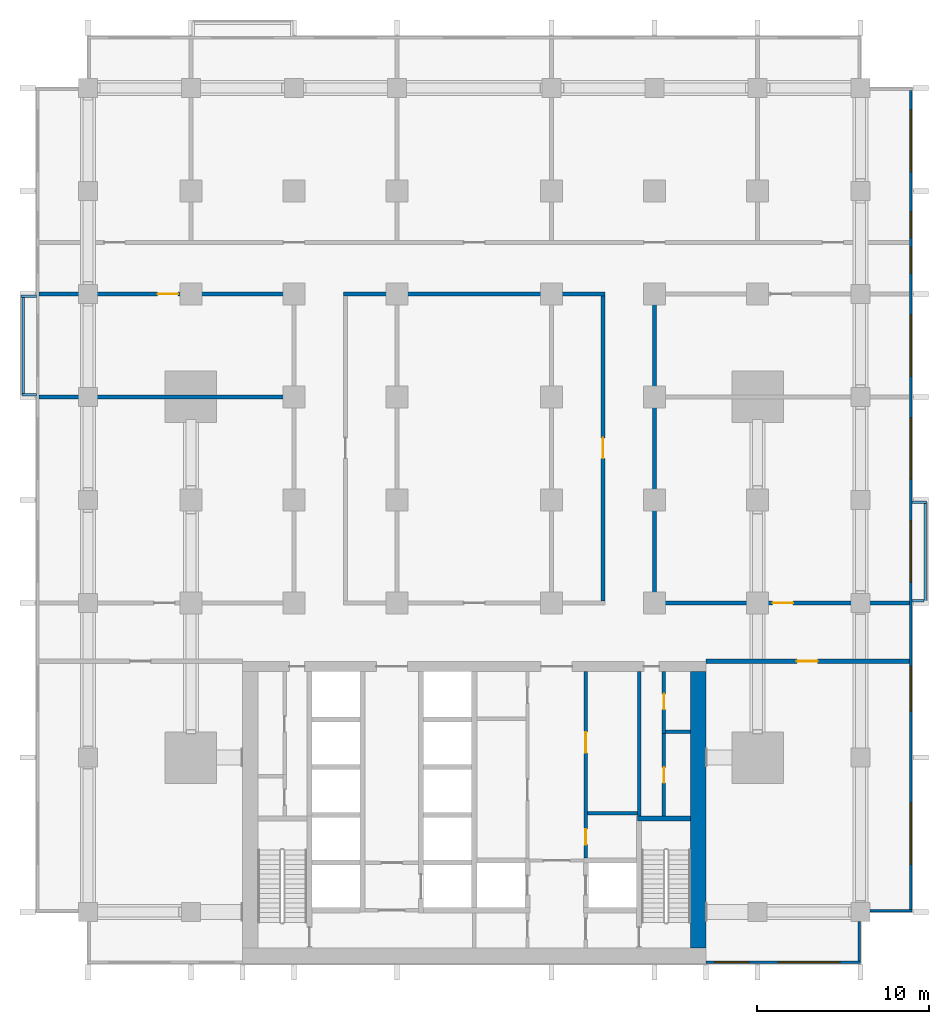
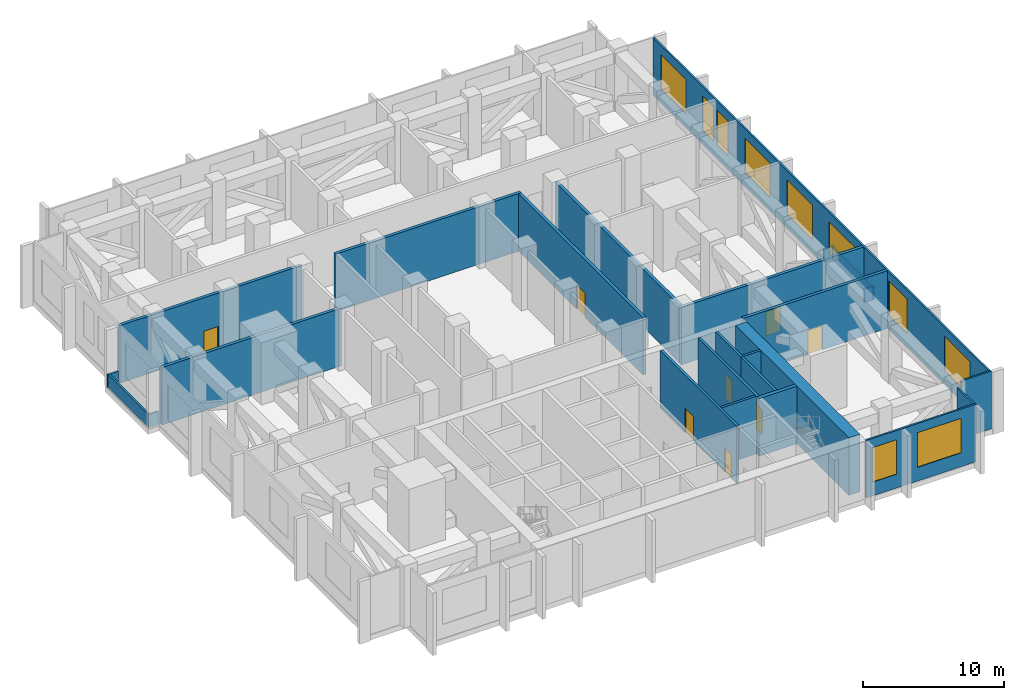
# One storey, part 4 of 13: 25 walls, 10 windows, 8 doors, 18 openings.
"""IFC4 building model written with IfcOpenShell, lengths in metres."""

from ifc_helpers import new_model, si_unit, direction, frame, frame_2d, origin, place, context, subcontext, project, spatial, rectangle, extrude, material, layer, layer_set, type_object, element, fill, save


model = new_model("IFC4")

# Units and contexts
model_context = context("Model", 3, precision=1e-05, world=origin(), true_north=direction((0.0, 1.0)))
body_context = subcontext(model_context, "Body", "Model", "MODEL_VIEW")
ifc_project = project(units=[si_unit("LENGTHUNIT", "METRE"), si_unit("AREAUNIT", "SQUARE_METRE"), si_unit("VOLUMEUNIT", "CUBIC_METRE"), si_unit("PLANEANGLEUNIT", "RADIAN"), si_unit("MASSUNIT", "GRAM", prefix="KILO")], contexts=[model_context])

# Site, building, storey
site_placement = place(None, origin())
site = spatial("IfcSite", under=ifc_project, at=site_placement, CompositionType="ELEMENT")
building_placement = place(site_placement, origin())
building = spatial("IfcBuilding", under=site, at=building_placement, Name="Finial Court Residences", CompositionType="ELEMENT")
storey_placement = place(building_placement, frame((0.0, 0.0, 75.699951171875)))
storey = spatial("IfcBuildingStorey", under=building, at=storey_placement, Name="L18", CompositionType="ELEMENT", Elevation=75.699951171875)

# Walls
ifc_material_1 = material(Name="Concrete C80/95", Category="concrete")
ifc_layer_1 = layer(ifc_material_1, 0.89990234375)
ifc_layer_set_1 = layer_set([ifc_layer_1], Name="Core outer wall 900 Concrete C80/95")
wall_type_1 = type_object("IfcWallType", Name="Core outer wall 900 Concrete C80/95", PredefinedType="SHEAR", material=ifc_layer_set_1)
wall_1_placement = place(storey_placement, frame((13.050048828125, -24.60009765625, 0.0), z_axis=(0.0, 0.0, 1.0), x_axis=(0.0, 1.0, 0.0)))
element("IfcWall", 1, at=wall_1_placement, inside=storey, type_object=wall_type_1, Name="Core outer wall L18-04", PredefinedType="SHEAR", context=body_context, shape_type="SweptSolid", body=[
    extrude(rectangle(XDim=16.10009765625, YDim=0.89990234375, at=frame_2d((8.050048828125, 0.0))), origin(), (0.0, 0.0, 1.0), 5.0),
])
ifc_material_2 = material(Name="Concrete C35/45", Category="concrete")
ifc_layer_2 = layer(ifc_material_2, 0.14990234375)
ifc_layer_set_2 = layer_set([ifc_layer_2], Name="Ledge parapet, Concrete C35/45 150")
wall_type_2 = type_object("IfcWallType", Name="Ledge parapet, Concrete C35/45 150", PredefinedType="PARAPET", material=ifc_layer_set_2)
wall_2_placement = place(storey_placement, frame((25.510009765625, 1.375, 0.0), z_axis=(0.0, 0.0, 1.0), x_axis=(1.0, 0.0, 0.0)))
element("IfcWall", 2, at=wall_2_placement, inside=storey, type_object=wall_type_2, Name="E-L18-LED1-P1", PredefinedType="PARAPET", context=body_context, shape_type="SweptSolid", body=[
    extrude(rectangle(XDim=0.840087890625, YDim=0.14990234375, at=frame_2d((0.419921875, 0.0))), origin(), (0.0, 0.0, 1.0), 1.150146484375),
])
wall_3_placement = place(storey_placement, frame((26.27490234375, 1.300048828125, 0.0), z_axis=(0.0, 0.0, 1.0), x_axis=(0.0, -1.0, 0.0)))
element("IfcWall", 3, at=wall_3_placement, inside=storey, type_object=wall_type_2, Name="E-L18-LED1-P2", PredefinedType="PARAPET", context=body_context, shape_type="SweptSolid", body=[
    extrude(rectangle(XDim=5.75, YDim=0.14990234375, at=frame_2d((2.875, 0.0))), origin(), (0.0, 0.0, 1.0), 1.150146484375),
])
wall_4_placement = place(storey_placement, frame((26.199951171875, -4.375, 0.0), z_axis=(0.0, 0.0, 1.0), x_axis=(-1.0, 0.0, 0.0)))
element("IfcWall", 4, at=wall_4_placement, inside=storey, type_object=wall_type_2, Name="E-L18-LED1-P3", PredefinedType="PARAPET", context=body_context, shape_type="SweptSolid", body=[
    extrude(rectangle(XDim=0.68994140625, YDim=0.14990234375, at=frame_2d((0.344970703125, 0.0))), origin(), (0.0, 0.0, 1.0), 1.150146484375),
])
wall_5_placement = place(storey_placement, frame((-26.39990234375, 13.375, 0.0), z_axis=(0.0, 0.0, 1.0), x_axis=(1.0, 0.0, 0.0)))
element("IfcWall", 5, at=wall_5_placement, inside=storey, type_object=wall_type_2, Name="E-L18-LED2-P1", PredefinedType="PARAPET", context=body_context, shape_type="SweptSolid", body=[
    extrude(rectangle(XDim=0.889892578125, YDim=0.14990234375, at=frame_2d((0.44482421875, 0.0))), origin(), (0.0, 0.0, 1.0), 1.150146484375),
])
wall_6_placement = place(storey_placement, frame((-25.510009765625, 7.625, 0.0), z_axis=(0.0, 0.0, 1.0), x_axis=(-1.0, 0.0, 0.0)))
element("IfcWall", 6, at=wall_6_placement, inside=storey, type_object=wall_type_2, Name="E-L18-LED2-P2", PredefinedType="PARAPET", context=body_context, shape_type="SweptSolid", body=[
    extrude(rectangle(XDim=0.840087890625, YDim=0.14990234375, at=frame_2d((0.419921875, 0.0))), origin(), (0.0, 0.0, 1.0), 1.150146484375),
])
wall_7_placement = place(storey_placement, frame((-26.27490234375, 7.699951171875, 0.0), z_axis=(0.0, 0.0, 1.0), x_axis=(0.0, 1.0, 0.0)))
element("IfcWall", 7, at=wall_7_placement, inside=storey, type_object=wall_type_2, Name="E-L18-LED2-P3", PredefinedType="PARAPET", context=body_context, shape_type="SweptSolid", body=[
    extrude(rectangle(XDim=5.800048828125, YDim=0.14990234375, at=frame_2d((2.89990234375, 0.0))), origin(), (0.0, 0.0, 1.0), 1.150146484375),
])
ifc_layer_3 = layer(ifc_material_1, 0.300048828125)
ifc_layer_set_3 = layer_set([ifc_layer_3], Name="Lift shaft and stair wall 300 Concrete C80/95")
wall_type_3 = type_object("IfcWallType", Name="Lift shaft and stair wall 300 Concrete C80/95", PredefinedType="SHEAR", material=ifc_layer_set_3)
wall_8_placement = place(storey_placement, frame((9.5, -17.050048828125, 0.0), z_axis=(0.0, 0.0, 1.0), x_axis=(1.0, 0.0, 0.0)))
element("IfcWall", 8, at=wall_8_placement, inside=storey, type_object=wall_type_3, Name="Core wall L18-12", PredefinedType="SHEAR", context=body_context, shape_type="SweptSolid", body=[
    extrude(rectangle(XDim=3.10009765625, YDim=0.300048828125, at=frame_2d((1.550048828125, 0.0))), origin(), (0.0, 0.0, 1.0), 5.0),
])

# Wall, opening, door
ifc_material_3 = material(Name="Fire-rated board")
ifc_layer_4 = layer(ifc_material_3, 0.050048828125)
ifc_material_4 = material(Name="Mineral wool in double frame")
ifc_layer_5 = layer(ifc_material_4, 0.14990234375)
ifc_layer_6 = layer(ifc_material_3, 0.050048828125)
ifc_layer_set_4 = layer_set([ifc_layer_4, ifc_layer_5, ifc_layer_6], Name="Plant room wall 250, 2 hour")
wall_type_4 = type_object("IfcWallType", Name="Plant room wall 250, 2 hour", PredefinedType="PARTITIONING", material=ifc_layer_set_4)
wall_9_placement = place(storey_placement, frame((13.5, -7.89990234375, 0.0), z_axis=(0.0, 0.0, 1.0), x_axis=(1.0, 0.0, 0.0)))
wall_9 = element("IfcWall", 9, at=wall_9_placement, inside=storey, type_object=wall_type_4, Name="Partition L18-001", PredefinedType="PARTITIONING", context=body_context, shape_type="SweptSolid", body=[
    extrude(rectangle(XDim=11.85009765625, YDim=0.25, at=frame_2d((5.925048828125, 0.0))), origin(), (0.0, 0.0, 1.0), 5.0),
])
opening_1_placement = place(wall_9_placement, frame((5.300048828125, 0.0, 0.0)))
opening_1 = element("IfcOpeningElement", 10, at=opening_1_placement, cuts=wall_9, Name="Opening L18-D002", PredefinedType="OPENING", context=body_context, shape_type="SweptSolid", body=[
    extrude(rectangle(XDim=1.199951171875, YDim=2.10009765625, at=frame_2d((0.60009765625, 1.050048828125))), frame((0.0, 0.135009765625, 0.0), z_axis=(0.0, -1.0, 0.0), x_axis=(1.0, 0.0, 0.0)), (0.0, 0.0, 1.0), 0.27001953125),
])
ifc_material_5 = material(Name="Timber door leaf in hollow metal frame", Category="wood")
door_type_1 = type_object("IfcDoorType", Name="Fire door set 1200 x 2100, 60 minutes", OperationType="SINGLE_SWING_LEFT", PredefinedType="DOOR", material=ifc_material_5)
door_1_placement = place(opening_1_placement, origin())
door_1 = element("IfcDoor", 11, at=door_1_placement, inside=storey, type_object=door_type_1, Name="Door L18-D002", OperationType="SINGLE_SWING_RIGHT", OverallHeight=2.10009765625, OverallWidth=1.199951171875, PredefinedType="DOOR", context=body_context, shape_type="SweptSolid", body=[
    extrude(rectangle(XDim=1.199951171875, YDim=2.10009765625, at=frame_2d((0.60009765625, 1.050048828125))), frame((0.0, 0.02490234375, 0.0), z_axis=(0.0, -1.0, 0.0), x_axis=(1.0, 0.0, 0.0)), (0.0, 0.0, 1.0), 0.050048828125),
])
fill(opening_1, door_1)

wall_10_placement = place(storey_placement, frame((10.375, -4.5, 0.0), z_axis=(0.0, 0.0, 1.0), x_axis=(1.0, 0.0, 0.0)))
wall_10 = element("IfcWall", 12, at=wall_10_placement, inside=storey, type_object=wall_type_4, Name="Partition L18-004", PredefinedType="PARTITIONING", context=body_context, shape_type="SweptSolid", body=[
    extrude(rectangle(XDim=14.97509765625, YDim=0.25, at=frame_2d((7.487548828125, 0.0))), origin(), (0.0, 0.0, 1.0), 5.0),
])
opening_2_placement = place(wall_10_placement, frame((7.0, 0.0, 0.0)))
opening_2 = element("IfcOpeningElement", 13, at=opening_2_placement, cuts=wall_10, Name="Opening L18-D005", PredefinedType="OPENING", context=body_context, shape_type="SweptSolid", body=[
    extrude(rectangle(XDim=1.199951171875, YDim=2.10009765625, at=frame_2d((0.60009765625, 1.050048828125))), frame((0.0, 0.135009765625, 0.0), z_axis=(0.0, -1.0, 0.0), x_axis=(1.0, 0.0, 0.0)), (0.0, 0.0, 1.0), 0.27001953125),
])
door_2_placement = place(opening_2_placement, origin())
door_2 = element("IfcDoor", 14, at=door_2_placement, inside=storey, type_object=door_type_1, Name="Door L18-D005", OperationType="SINGLE_SWING_LEFT", OverallHeight=2.10009765625, OverallWidth=1.199951171875, PredefinedType="DOOR", context=body_context, shape_type="SweptSolid", body=[
    extrude(rectangle(XDim=1.199951171875, YDim=2.10009765625, at=frame_2d((0.60009765625, 1.050048828125))), frame((0.0, 0.02490234375, 0.0), z_axis=(0.0, -1.0, 0.0), x_axis=(1.0, 0.0, 0.0)), (0.0, 0.0, 1.0), 0.050048828125),
])
fill(opening_2, door_2)

# Wall
wall_11_placement = place(storey_placement, frame((-25.35009765625, 7.5, 0.0), z_axis=(0.0, 0.0, 1.0), x_axis=(1.0, 0.0, 0.0)))
element("IfcWall", 15, at=wall_11_placement, inside=storey, type_object=wall_type_4, Name="Partition L18-005", PredefinedType="PARTITIONING", context=body_context, shape_type="SweptSolid", body=[
    extrude(rectangle(XDim=14.72509765625, YDim=0.25, at=frame_2d((7.362548828125, 0.0))), origin(), (0.0, 0.0, 1.0), 5.0),
])

# Wall, opening, door
wall_12_placement = place(storey_placement, frame((-25.35009765625, 13.5, 0.0), z_axis=(0.0, 0.0, 1.0), x_axis=(1.0, 0.0, 0.0)))
wall_12 = element("IfcWall", 16, at=wall_12_placement, inside=storey, type_object=wall_type_4, Name="Partition L18-007", PredefinedType="PARTITIONING", context=body_context, shape_type="SweptSolid", body=[
    extrude(rectangle(XDim=14.97509765625, YDim=0.25, at=frame_2d((7.487548828125, 0.0))), origin(), (0.0, 0.0, 1.0), 5.0),
])
opening_3_placement = place(wall_12_placement, frame((6.89990234375, 0.0, 0.0)))
opening_3 = element("IfcOpeningElement", 17, at=opening_3_placement, cuts=wall_12, Name="Opening L18-D006", PredefinedType="OPENING", context=body_context, shape_type="SweptSolid", body=[
    extrude(rectangle(XDim=1.199951171875, YDim=2.10009765625, at=frame_2d((0.60009765625, 1.050048828125))), frame((0.0, 0.135009765625, 0.0), z_axis=(0.0, -1.0, 0.0), x_axis=(1.0, 0.0, 0.0)), (0.0, 0.0, 1.0), 0.27001953125),
])
door_3_placement = place(opening_3_placement, origin())
door_3 = element("IfcDoor", 18, at=door_3_placement, inside=storey, type_object=door_type_1, Name="Door L18-D006", OperationType="SINGLE_SWING_RIGHT", OverallHeight=2.10009765625, OverallWidth=1.199951171875, PredefinedType="DOOR", context=body_context, shape_type="SweptSolid", body=[
    extrude(rectangle(XDim=1.199951171875, YDim=2.10009765625, at=frame_2d((0.60009765625, 1.050048828125))), frame((0.0, 0.02490234375, 0.0), z_axis=(0.0, -1.0, 0.0), x_axis=(1.0, 0.0, 0.0)), (0.0, 0.0, 1.0), 0.050048828125),
])
fill(opening_3, door_3)

# Wall
wall_13_placement = place(storey_placement, frame((-7.625, 13.5, 0.0), z_axis=(0.0, 0.0, 1.0), x_axis=(1.0, 0.0, 0.0)))
element("IfcWall", 19, at=wall_13_placement, inside=storey, type_object=wall_type_4, Name="Partition L18-008", PredefinedType="PARTITIONING", context=body_context, shape_type="SweptSolid", body=[
    extrude(rectangle(XDim=15.25, YDim=0.25, at=frame_2d((7.625, 0.0))), origin(), (0.0, 0.0, 1.0), 5.0),
])

# Wall, opening, door
wall_14_placement = place(storey_placement, frame((7.5, -4.375, 0.0), z_axis=(0.0, 0.0, 1.0), x_axis=(0.0, 1.0, 0.0)))
wall_14 = element("IfcWall", 20, at=wall_14_placement, inside=storey, type_object=wall_type_4, Name="Partition L18-018", PredefinedType="PARTITIONING", context=body_context, shape_type="SweptSolid", body=[
    extrude(rectangle(XDim=17.75, YDim=0.25, at=frame_2d((8.875, 0.0))), origin(), (0.0, 0.0, 1.0), 5.0),
])
opening_4_placement = place(wall_14_placement, frame((8.300048828125, 0.0, 0.0)))
opening_4 = element("IfcOpeningElement", 21, at=opening_4_placement, cuts=wall_14, Name="Opening L18-D014", PredefinedType="OPENING", context=body_context, shape_type="SweptSolid", body=[
    extrude(rectangle(XDim=1.199951171875, YDim=2.10009765625, at=frame_2d((0.60009765625, 1.050048828125))), frame((0.0, 0.135009765625, 0.0), z_axis=(0.0, -1.0, 0.0), x_axis=(1.0, 0.0, 0.0)), (0.0, 0.0, 1.0), 0.27001953125),
])
door_4_placement = place(opening_4_placement, origin())
door_4 = element("IfcDoor", 22, at=door_4_placement, inside=storey, type_object=door_type_1, Name="Door L18-D014", OperationType="SINGLE_SWING_LEFT", OverallHeight=2.10009765625, OverallWidth=1.199951171875, PredefinedType="DOOR", context=body_context, shape_type="SweptSolid", body=[
    extrude(rectangle(XDim=1.199951171875, YDim=2.10009765625, at=frame_2d((0.60009765625, 1.050048828125))), frame((0.0, 0.02490234375, 0.0), z_axis=(0.0, -1.0, 0.0), x_axis=(1.0, 0.0, 0.0)), (0.0, 0.0, 1.0), 0.050048828125),
])
fill(opening_4, door_4)

# Wall
wall_15_placement = place(storey_placement, frame((10.5, -4.375, 0.0), z_axis=(0.0, 0.0, 1.0), x_axis=(0.0, 1.0, 0.0)))
element("IfcWall", 23, at=wall_15_placement, inside=storey, type_object=wall_type_4, Name="Partition L18-019", PredefinedType="PARTITIONING", context=body_context, shape_type="SweptSolid", body=[
    extrude(rectangle(XDim=17.75, YDim=0.25, at=frame_2d((8.875, 0.0))), origin(), (0.0, 0.0, 1.0), 5.0),
])

# Wall, openings, windows
ifc_material_6 = material(Name="Natural limestone", Category="masonry")
ifc_layer_7 = layer(ifc_material_6, 0.14990234375)
ifc_layer_set_5 = layer_set([ifc_layer_7], Name="Plant storey wall, limestone clad 150")
wall_type_5 = type_object("IfcWallType", Name="Plant storey wall, limestone clad 150", PredefinedType="SOLIDWALL", material=ifc_layer_set_5)
wall_16_placement = place(storey_placement, frame((25.425048828125, 25.35009765625, 0.0), z_axis=(0.0, 0.0, 1.0), x_axis=(0.0, -1.0, 0.0)))
wall_16 = element("IfcWall", 24, at=wall_16_placement, inside=storey, type_object=wall_type_5, Name="E-L18-PWE2", PredefinedType="SOLIDWALL", context=body_context, shape_type="SweptSolid", body=[
    extrude(rectangle(XDim=47.7001953125, YDim=0.14990234375, at=frame_2d((23.85009765625, 0.0))), origin(), (0.0, 0.0, 1.0), 5.0),
])
opening_5_placement = place(wall_16_placement, frame((41.47509765625, 0.0, 1.199951171875)))
opening_5 = element("IfcOpeningElement", 25, at=opening_5_placement, cuts=wall_16, Name="Opening WE18-08", PredefinedType="OPENING", context=body_context, shape_type="SweptSolid", body=[
    extrude(rectangle(XDim=3.60009765625, YDim=3.0, at=frame_2d((1.800048828125, 1.5))), frame((0.0, 0.0849609375, 0.0), z_axis=(0.0, -1.0, 0.0), x_axis=(1.0, 0.0, 0.0)), (0.0, 0.0, 1.0), 0.169921875),
])
opening_6_placement = place(wall_16_placement, frame((33.52490234375, 0.0, 1.199951171875)))
opening_6 = element("IfcOpeningElement", 26, at=opening_6_placement, cuts=wall_16, Name="Opening WE18-09", PredefinedType="OPENING", context=body_context, shape_type="SweptSolid", body=[
    extrude(rectangle(XDim=2.625, YDim=3.0, at=frame_2d((1.3125, 1.5))), frame((0.0, 0.0849609375, 0.0), z_axis=(0.0, -1.0, 0.0), x_axis=(1.0, 0.0, 0.0)), (0.0, 0.0, 1.0), 0.169921875),
])
opening_7_placement = place(wall_16_placement, frame((25.050048828125, 0.0, 1.199951171875)))
opening_7 = element("IfcOpeningElement", 27, at=opening_7_placement, cuts=wall_16, Name="Opening WE18-10", PredefinedType="OPENING", context=body_context, shape_type="SweptSolid", body=[
    extrude(rectangle(XDim=3.60009765625, YDim=3.0, at=frame_2d((1.800048828125, 1.5))), frame((0.0, 0.0849609375, 0.0), z_axis=(0.0, -1.0, 0.0), x_axis=(1.0, 0.0, 0.0)), (0.0, 0.0, 1.0), 0.169921875),
])
opening_8_placement = place(wall_16_placement, frame((19.050048828125, 0.0, 1.199951171875)))
opening_8 = element("IfcOpeningElement", 28, at=opening_8_placement, cuts=wall_16, Name="Opening WE18-11", PredefinedType="OPENING", context=body_context, shape_type="SweptSolid", body=[
    extrude(rectangle(XDim=3.60009765625, YDim=3.0, at=frame_2d((1.800048828125, 1.5))), frame((0.0, 0.0849609375, 0.0), z_axis=(0.0, -1.0, 0.0), x_axis=(1.0, 0.0, 0.0)), (0.0, 0.0, 1.0), 0.169921875),
])
opening_9_placement = place(wall_16_placement, frame((13.050048828125, 0.0, 1.199951171875)))
opening_9 = element("IfcOpeningElement", 29, at=opening_9_placement, cuts=wall_16, Name="Opening WE18-12", PredefinedType="OPENING", context=body_context, shape_type="SweptSolid", body=[
    extrude(rectangle(XDim=3.60009765625, YDim=3.0, at=frame_2d((1.800048828125, 1.5))), frame((0.0, 0.0849609375, 0.0), z_axis=(0.0, -1.0, 0.0), x_axis=(1.0, 0.0, 0.0)), (0.0, 0.0, 1.0), 0.169921875),
])
opening_10_placement = place(wall_16_placement, frame((9.125, 0.0, 1.199951171875)))
opening_10 = element("IfcOpeningElement", 30, at=opening_10_placement, cuts=wall_16, Name="Opening WE18-13", PredefinedType="OPENING", context=body_context, shape_type="SweptSolid", body=[
    extrude(rectangle(XDim=1.52490234375, YDim=3.0, at=frame_2d((0.762451171875, 1.5))), frame((0.0, 0.0849609375, 0.0), z_axis=(0.0, -1.0, 0.0), x_axis=(1.0, 0.0, 0.0)), (0.0, 0.0, 1.0), 0.169921875),
])
opening_11_placement = place(wall_16_placement, frame((7.050048828125, 0.0, 1.199951171875)))
opening_11 = element("IfcOpeningElement", 31, at=opening_11_placement, cuts=wall_16, Name="Opening WE18-14", PredefinedType="OPENING", context=body_context, shape_type="SweptSolid", body=[
    extrude(rectangle(XDim=1.52490234375, YDim=3.0, at=frame_2d((0.762451171875, 1.5))), frame((0.0, 0.0849609375, 0.0), z_axis=(0.0, -1.0, 0.0), x_axis=(1.0, 0.0, 0.0)), (0.0, 0.0, 1.0), 0.169921875),
])
opening_12_placement = place(wall_16_placement, frame((1.125, 0.0, 1.199951171875)))
opening_12 = element("IfcOpeningElement", 32, at=opening_12_placement, cuts=wall_16, Name="Opening WE18-15", PredefinedType="OPENING", context=body_context, shape_type="SweptSolid", body=[
    extrude(rectangle(XDim=3.60009765625, YDim=3.0, at=frame_2d((1.800048828125, 1.5))), frame((0.0, 0.0849609375, 0.0), z_axis=(0.0, -1.0, 0.0), x_axis=(1.0, 0.0, 0.0)), (0.0, 0.0, 1.0), 0.169921875),
])
ifc_material_7 = material(Name="Bronze anodised aluminium", Category="aluminium")
window_type_1 = type_object("IfcWindowType", Name="Plant louvre 1525 x 3000", PartitioningType="SINGLE_PANEL", PredefinedType="WINDOW", material=ifc_material_7)
window_1_placement = place(opening_10_placement, origin())
window_1 = element("IfcWindow", 33, at=window_1_placement, inside=storey, type_object=window_type_1, Name="E-L18-PWE2-W6", OverallHeight=3.0, OverallWidth=1.52490234375, PartitioningType="SINGLE_PANEL", PredefinedType="WINDOW", context=body_context, shape_type="SweptSolid", body=[
    extrude(rectangle(XDim=1.52490234375, YDim=3.0, at=frame_2d((0.762451171875, 1.5))), frame((0.0, 0.030029296875, 0.0), z_axis=(0.0, -1.0, 0.0), x_axis=(1.0, 0.0, 0.0)), (0.0, 0.0, 1.0), 0.06005859375),
])
fill(opening_10, window_1)
window_2_placement = place(opening_11_placement, origin())
window_2 = element("IfcWindow", 34, at=window_2_placement, inside=storey, type_object=window_type_1, Name="E-L18-PWE2-W7", OverallHeight=3.0, OverallWidth=1.52490234375, PartitioningType="SINGLE_PANEL", PredefinedType="WINDOW", context=body_context, shape_type="SweptSolid", body=[
    extrude(rectangle(XDim=1.52490234375, YDim=3.0, at=frame_2d((0.762451171875, 1.5))), frame((0.0, 0.030029296875, 0.0), z_axis=(0.0, -1.0, 0.0), x_axis=(1.0, 0.0, 0.0)), (0.0, 0.0, 1.0), 0.06005859375),
])
fill(opening_11, window_2)
window_type_2 = type_object("IfcWindowType", Name="Plant louvre 2625 x 3000", PartitioningType="SINGLE_PANEL", PredefinedType="WINDOW", material=ifc_material_7)
window_3_placement = place(opening_6_placement, origin())
window_3 = element("IfcWindow", 35, at=window_3_placement, inside=storey, type_object=window_type_2, Name="E-L18-PWE2-W2", OverallHeight=3.0, OverallWidth=2.625, PartitioningType="SINGLE_PANEL", PredefinedType="WINDOW", context=body_context, shape_type="SweptSolid", body=[
    extrude(rectangle(XDim=2.625, YDim=3.0, at=frame_2d((1.3125, 1.5))), frame((0.0, 0.030029296875, 0.0), z_axis=(0.0, -1.0, 0.0), x_axis=(1.0, 0.0, 0.0)), (0.0, 0.0, 1.0), 0.06005859375),
])
fill(opening_6, window_3)
window_type_3 = type_object("IfcWindowType", Name="Plant louvre 3600 x 3000", PartitioningType="SINGLE_PANEL", PredefinedType="WINDOW", material=ifc_material_7)
window_4_placement = place(opening_5_placement, origin())
window_4 = element("IfcWindow", 36, at=window_4_placement, inside=storey, type_object=window_type_3, Name="E-L18-PWE2-W1", OverallHeight=3.0, OverallWidth=3.60009765625, PartitioningType="SINGLE_PANEL", PredefinedType="WINDOW", context=body_context, shape_type="SweptSolid", body=[
    extrude(rectangle(XDim=3.60009765625, YDim=3.0, at=frame_2d((1.800048828125, 1.5))), frame((0.0, 0.030029296875, 0.0), z_axis=(0.0, -1.0, 0.0), x_axis=(1.0, 0.0, 0.0)), (0.0, 0.0, 1.0), 0.06005859375),
])
fill(opening_5, window_4)
window_5_placement = place(opening_7_placement, origin())
window_5 = element("IfcWindow", 37, at=window_5_placement, inside=storey, type_object=window_type_3, Name="E-L18-PWE2-W3", OverallHeight=3.0, OverallWidth=3.60009765625, PartitioningType="SINGLE_PANEL", PredefinedType="WINDOW", context=body_context, shape_type="SweptSolid", body=[
    extrude(rectangle(XDim=3.60009765625, YDim=3.0, at=frame_2d((1.800048828125, 1.5))), frame((0.0, 0.030029296875, 0.0), z_axis=(0.0, -1.0, 0.0), x_axis=(1.0, 0.0, 0.0)), (0.0, 0.0, 1.0), 0.06005859375),
])
fill(opening_7, window_5)
window_6_placement = place(opening_8_placement, origin())
window_6 = element("IfcWindow", 38, at=window_6_placement, inside=storey, type_object=window_type_3, Name="E-L18-PWE2-W4", OverallHeight=3.0, OverallWidth=3.60009765625, PartitioningType="SINGLE_PANEL", PredefinedType="WINDOW", context=body_context, shape_type="SweptSolid", body=[
    extrude(rectangle(XDim=3.60009765625, YDim=3.0, at=frame_2d((1.800048828125, 1.5))), frame((0.0, 0.030029296875, 0.0), z_axis=(0.0, -1.0, 0.0), x_axis=(1.0, 0.0, 0.0)), (0.0, 0.0, 1.0), 0.06005859375),
])
fill(opening_8, window_6)
window_7_placement = place(opening_9_placement, origin())
window_7 = element("IfcWindow", 39, at=window_7_placement, inside=storey, type_object=window_type_3, Name="E-L18-PWE2-W5", OverallHeight=3.0, OverallWidth=3.60009765625, PartitioningType="SINGLE_PANEL", PredefinedType="WINDOW", context=body_context, shape_type="SweptSolid", body=[
    extrude(rectangle(XDim=3.60009765625, YDim=3.0, at=frame_2d((1.800048828125, 1.5))), frame((0.0, 0.030029296875, 0.0), z_axis=(0.0, -1.0, 0.0), x_axis=(1.0, 0.0, 0.0)), (0.0, 0.0, 1.0), 0.06005859375),
])
fill(opening_9, window_7)
window_8_placement = place(opening_12_placement, origin())
window_8 = element("IfcWindow", 40, at=window_8_placement, inside=storey, type_object=window_type_3, Name="E-L18-PWE2-W8", OverallHeight=3.0, OverallWidth=3.60009765625, PartitioningType="SINGLE_PANEL", PredefinedType="WINDOW", context=body_context, shape_type="SweptSolid", body=[
    extrude(rectangle(XDim=3.60009765625, YDim=3.0, at=frame_2d((1.800048828125, 1.5))), frame((0.0, 0.030029296875, 0.0), z_axis=(0.0, -1.0, 0.0), x_axis=(1.0, 0.0, 0.0)), (0.0, 0.0, 1.0), 0.06005859375),
])
fill(opening_12, window_8)

wall_17_placement = place(storey_placement, frame((22.5, -25.425048828125, 0.0), z_axis=(0.0, 0.0, 1.0), x_axis=(-1.0, 0.0, 0.0)))
wall_17 = element("IfcWall", 41, at=wall_17_placement, inside=storey, type_object=wall_type_5, Name="E-L18-PWS4", PredefinedType="SOLIDWALL", context=body_context, shape_type="SweptSolid", body=[
    extrude(rectangle(XDim=9.0, YDim=0.14990234375, at=frame_2d((4.5, 0.0))), origin(), (0.0, 0.0, 1.0), 5.0),
])
opening_13_placement = place(wall_17_placement, frame((6.5, 0.0, 1.199951171875)))
opening_13 = element("IfcOpeningElement", 42, at=opening_13_placement, cuts=wall_17, Name="Opening WE18-18", PredefinedType="OPENING", context=body_context, shape_type="SweptSolid", body=[
    extrude(rectangle(XDim=2.0, YDim=3.0, at=frame_2d((1.0, 1.5))), frame((0.0, 0.0849609375, 0.0), z_axis=(0.0, -1.0, 0.0), x_axis=(1.0, 0.0, 0.0)), (0.0, 0.0, 1.0), 0.169921875),
])
opening_14_placement = place(wall_17_placement, frame((1.199951171875, 0.0, 1.199951171875)))
opening_14 = element("IfcOpeningElement", 43, at=opening_14_placement, cuts=wall_17, Name="Opening WE18-19", PredefinedType="OPENING", context=body_context, shape_type="SweptSolid", body=[
    extrude(rectangle(XDim=3.60009765625, YDim=3.0, at=frame_2d((1.800048828125, 1.5))), frame((0.0, 0.0849609375, 0.0), z_axis=(0.0, -1.0, 0.0), x_axis=(1.0, 0.0, 0.0)), (0.0, 0.0, 1.0), 0.169921875),
])
window_type_4 = type_object("IfcWindowType", Name="Plant louvre 2000 x 3000", PartitioningType="SINGLE_PANEL", PredefinedType="WINDOW", material=ifc_material_7)
window_9_placement = place(opening_13_placement, origin())
window_9 = element("IfcWindow", 44, at=window_9_placement, inside=storey, type_object=window_type_4, Name="E-L18-PWS4-W1", OverallHeight=3.0, OverallWidth=2.0, PartitioningType="SINGLE_PANEL", PredefinedType="WINDOW", context=body_context, shape_type="SweptSolid", body=[
    extrude(rectangle(XDim=2.0, YDim=3.0, at=frame_2d((1.0, 1.5))), frame((0.0, 0.030029296875, 0.0), z_axis=(0.0, -1.0, 0.0), x_axis=(1.0, 0.0, 0.0)), (0.0, 0.0, 1.0), 0.06005859375),
])
fill(opening_13, window_9)
window_10_placement = place(opening_14_placement, origin())
window_10 = element("IfcWindow", 45, at=window_10_placement, inside=storey, type_object=window_type_3, Name="E-L18-PWS4-W2", OverallHeight=3.0, OverallWidth=3.60009765625, PartitioningType="SINGLE_PANEL", PredefinedType="WINDOW", context=body_context, shape_type="SweptSolid", body=[
    extrude(rectangle(XDim=3.60009765625, YDim=3.0, at=frame_2d((1.800048828125, 1.5))), frame((0.0, 0.030029296875, 0.0), z_axis=(0.0, -1.0, 0.0), x_axis=(1.0, 0.0, 0.0)), (0.0, 0.0, 1.0), 0.06005859375),
])
fill(opening_14, window_10)

# Walls
wall_18_placement = place(storey_placement, frame((22.425048828125, -23.050048828125, 0.0), z_axis=(0.0, 0.0, 1.0), x_axis=(0.0, -1.0, 0.0)))
element("IfcWall", 46, at=wall_18_placement, inside=storey, type_object=wall_type_5, Name="E-L18-PWE8", PredefinedType="SOLIDWALL", context=body_context, shape_type="SweptSolid", body=[
    extrude(rectangle(XDim=2.300048828125, YDim=0.14990234375, at=frame_2d((1.14990234375, 0.0))), origin(), (0.0, 0.0, 1.0), 5.0),
])
wall_19_placement = place(storey_placement, frame((25.5, -22.425048828125, 0.0), z_axis=(0.0, 0.0, 1.0), x_axis=(-1.0, 0.0, 0.0)))
element("IfcWall", 47, at=wall_19_placement, inside=storey, type_object=wall_type_5, Name="E-L18-PWS9", PredefinedType="SOLIDWALL", context=body_context, shape_type="SweptSolid", body=[
    extrude(rectangle(XDim=2.449951171875, YDim=0.14990234375, at=frame_2d((1.22509765625, 0.0))), origin(), (0.0, 0.0, 1.0), 5.0),
])
ifc_material_8 = material(Name="Fire-rated gypsum board partition")
ifc_layer_8 = layer(ifc_material_8, 0.199951171875)
ifc_layer_set_6 = layer_set([ifc_layer_8], Name="Riser room wall 200 EI 120")
wall_type_6 = type_object("IfcWallType", Name="Riser room wall 200 EI 120", PredefinedType="PARTITIONING", material=ifc_layer_set_6)
wall_20_placement = place(storey_placement, frame((6.60009765625, -16.75, 0.0), z_axis=(0.0, 0.0, 1.0), x_axis=(1.0, 0.0, 0.0)))
element("IfcWall", 48, at=wall_20_placement, inside=storey, type_object=wall_type_6, Name="Core partition L18-15", PredefinedType="PARTITIONING", context=body_context, shape_type="SweptSolid", body=[
    extrude(rectangle(XDim=2.89990234375, YDim=0.199951171875, at=frame_2d((1.449951171875, 0.0))), origin(), (0.0, 0.0, 1.0), 5.0),
])
wall_21_placement = place(storey_placement, frame((11.14990234375, -12.0, 0.0), z_axis=(0.0, 0.0, 1.0), x_axis=(1.0, 0.0, 0.0)))
element("IfcWall", 49, at=wall_21_placement, inside=storey, type_object=wall_type_6, Name="Core partition L18-19", PredefinedType="PARTITIONING", context=body_context, shape_type="SweptSolid", body=[
    extrude(rectangle(XDim=1.4501953125, YDim=0.199951171875, at=frame_2d((0.72509765625, 0.0))), origin(), (0.0, 0.0, 1.0), 5.0),
])

# Wall, openings, doors
wall_22_placement = place(storey_placement, frame((6.5, -8.5, 0.0), z_axis=(0.0, 0.0, 1.0), x_axis=(0.0, -1.0, 0.0)))
wall_22 = element("IfcWall", 50, at=wall_22_placement, inside=storey, type_object=wall_type_6, Name="Core partition L18-36", PredefinedType="PARTITIONING", context=body_context, shape_type="SweptSolid", body=[
    extrude(rectangle(XDim=10.85009765625, YDim=0.199951171875, at=frame_2d((5.425048828125, 0.0))), origin(), (0.0, 0.0, 1.0), 5.0),
])
opening_15_placement = place(wall_22_placement, frame((9.175048828125, 0.0, 0.0)))
opening_15 = element("IfcOpeningElement", 51, at=opening_15_placement, cuts=wall_22, Name="Opening L18-C11", PredefinedType="OPENING", context=body_context, shape_type="SweptSolid", body=[
    extrude(rectangle(XDim=0.89990234375, YDim=2.10009765625, at=frame_2d((0.449951171875, 1.050048828125))), frame((0.0, 0.10986328125, 0.0), z_axis=(0.0, -1.0, 0.0), x_axis=(1.0, 0.0, 0.0)), (0.0, 0.0, 1.0), 0.219970703125),
])
opening_16_placement = place(wall_22_placement, frame((3.52490234375, 0.0, 0.0)))
opening_16 = element("IfcOpeningElement", 52, at=opening_16_placement, cuts=wall_22, Name="Opening L18-C12", PredefinedType="OPENING", context=body_context, shape_type="SweptSolid", body=[
    extrude(rectangle(XDim=1.199951171875, YDim=2.10009765625, at=frame_2d((0.60009765625, 1.050048828125))), frame((0.0, 0.10986328125, 0.0), z_axis=(0.0, -1.0, 0.0), x_axis=(1.0, 0.0, 0.0)), (0.0, 0.0, 1.0), 0.219970703125),
])
ifc_material_9 = material(Name="Steel fire door", Category="steel")
door_type_2 = type_object("IfcDoorType", Name="Riser room door 1200 x 2100 EI 90", OperationType="NOTDEFINED", PredefinedType="DOOR", material=ifc_material_9)
door_5_placement = place(opening_16_placement, origin())
door_5 = element("IfcDoor", 53, at=door_5_placement, inside=storey, type_object=door_type_2, Name="Riser room door L18-C12", OperationType="SINGLE_SWING_RIGHT", OverallHeight=2.10009765625, OverallWidth=1.199951171875, PredefinedType="DOOR", context=body_context, shape_type="SweptSolid", body=[
    extrude(rectangle(XDim=1.199951171875, YDim=2.10009765625, at=frame_2d((0.60009765625, 1.050048828125))), frame((0.0, 0.02490234375, 0.0), z_axis=(0.0, -1.0, 0.0), x_axis=(1.0, 0.0, 0.0)), (0.0, 0.0, 1.0), 0.050048828125),
])
fill(opening_16, door_5)
door_type_3 = type_object("IfcDoorType", Name="Riser room door 900 x 2100 EI 90", OperationType="NOTDEFINED", PredefinedType="DOOR", material=ifc_material_9)
door_6_placement = place(opening_15_placement, origin())
door_6 = element("IfcDoor", 54, at=door_6_placement, inside=storey, type_object=door_type_3, Name="Riser room door L18-C11", OperationType="SINGLE_SWING_RIGHT", OverallHeight=2.10009765625, OverallWidth=0.89990234375, PredefinedType="DOOR", context=body_context, shape_type="SweptSolid", body=[
    extrude(rectangle(XDim=0.89990234375, YDim=2.10009765625, at=frame_2d((0.449951171875, 1.050048828125))), frame((0.0, 0.02490234375, 0.0), z_axis=(0.0, -1.0, 0.0), x_axis=(1.0, 0.0, 0.0)), (0.0, 0.0, 1.0), 0.050048828125),
])
fill(opening_15, door_6)

# Wall
wall_23_placement = place(storey_placement, frame((9.60009765625, -16.89990234375, 0.0), z_axis=(0.0, 0.0, 1.0), x_axis=(0.0, 1.0, 0.0)))
element("IfcWall", 55, at=wall_23_placement, inside=storey, type_object=wall_type_6, Name="Core partition L18-38", PredefinedType="PARTITIONING", context=body_context, shape_type="SweptSolid", body=[
    extrude(rectangle(XDim=8.39990234375, YDim=0.199951171875, at=frame_2d((4.199951171875, 0.0))), origin(), (0.0, 0.0, 1.0), 5.0),
])

# Wall, opening, door
wall_24_placement = place(storey_placement, frame((11.050048828125, -8.5, 0.0), z_axis=(0.0, 0.0, 1.0), x_axis=(0.0, -1.0, 0.0)))
wall_24 = element("IfcWall", 56, at=wall_24_placement, inside=storey, type_object=wall_type_6, Name="Core partition L18-40", PredefinedType="PARTITIONING", context=body_context, shape_type="SweptSolid", body=[
    extrude(rectangle(XDim=3.60009765625, YDim=0.199951171875, at=frame_2d((1.800048828125, 0.0))), origin(), (0.0, 0.0, 1.0), 5.0),
])
opening_17_placement = place(wall_24_placement, frame((1.300048828125, 0.0, 0.0)))
opening_17 = element("IfcOpeningElement", 57, at=opening_17_placement, cuts=wall_24, Name="Opening L18-C08", PredefinedType="OPENING", context=body_context, shape_type="SweptSolid", body=[
    extrude(rectangle(XDim=0.89990234375, YDim=2.10009765625, at=frame_2d((0.449951171875, 1.050048828125))), frame((0.0, 0.10986328125, 0.0), z_axis=(0.0, -1.0, 0.0), x_axis=(1.0, 0.0, 0.0)), (0.0, 0.0, 1.0), 0.219970703125),
])
door_7_placement = place(opening_17_placement, origin())
door_7 = element("IfcDoor", 58, at=door_7_placement, inside=storey, type_object=door_type_3, Name="Riser room door L18-C08", OperationType="SINGLE_SWING_RIGHT", OverallHeight=2.10009765625, OverallWidth=0.89990234375, PredefinedType="DOOR", context=body_context, shape_type="SweptSolid", body=[
    extrude(rectangle(XDim=0.89990234375, YDim=2.10009765625, at=frame_2d((0.449951171875, 1.050048828125))), frame((0.0, 0.02490234375, 0.0), z_axis=(0.0, -1.0, 0.0), x_axis=(1.0, 0.0, 0.0)), (0.0, 0.0, 1.0), 0.050048828125),
])
fill(opening_17, door_7)

ifc_layer_9 = layer(ifc_material_8, 0.199951171875)
ifc_layer_set_7 = layer_set([ifc_layer_9], Name="Stair passage wall 200 EI 180")
wall_type_7 = type_object("IfcWallType", Name="Stair passage wall 200 EI 180", PredefinedType="PARTITIONING", material=ifc_layer_set_7)
wall_25_placement = place(storey_placement, frame((11.050048828125, -11.89990234375, 0.0), z_axis=(0.0, 0.0, 1.0), x_axis=(0.0, -1.0, 0.0)))
wall_25 = element("IfcWall", 59, at=wall_25_placement, inside=storey, type_object=wall_type_7, Name="Core partition L18-39", PredefinedType="PARTITIONING", context=body_context, shape_type="SweptSolid", body=[
    extrude(rectangle(XDim=5.0, YDim=0.199951171875, at=frame_2d((2.5, 0.0))), origin(), (0.0, 0.0, 1.0), 5.0),
])
opening_18_placement = place(wall_25_placement, frame((2.175048828125, 0.0, 0.0)))
opening_18 = element("IfcOpeningElement", 60, at=opening_18_placement, cuts=wall_25, Name="Opening L18-C17", PredefinedType="OPENING", context=body_context, shape_type="SweptSolid", body=[
    extrude(rectangle(XDim=0.89990234375, YDim=2.10009765625, at=frame_2d((0.449951171875, 1.050048828125))), frame((0.0, 0.10986328125, 0.0), z_axis=(0.0, -1.0, 0.0), x_axis=(1.0, 0.0, 0.0)), (0.0, 0.0, 1.0), 0.219970703125),
])
door_type_4 = type_object("IfcDoorType", Name="Core room door 900 x 2100 EI 60", OperationType="NOTDEFINED", PredefinedType="DOOR", material=ifc_material_9)
door_8_placement = place(opening_18_placement, origin())
door_8 = element("IfcDoor", 61, at=door_8_placement, inside=storey, type_object=door_type_4, Name="Core room door L18-C17", OperationType="SINGLE_SWING_RIGHT", OverallHeight=2.10009765625, OverallWidth=0.89990234375, PredefinedType="DOOR", context=body_context, shape_type="SweptSolid", body=[
    extrude(rectangle(XDim=0.89990234375, YDim=2.10009765625, at=frame_2d((0.449951171875, 1.050048828125))), frame((0.0, 0.02490234375, 0.0), z_axis=(0.0, -1.0, 0.0), x_axis=(1.0, 0.0, 0.0)), (0.0, 0.0, 1.0), 0.050048828125),
])
fill(opening_18, door_8)

save(model, "model.ifc")
